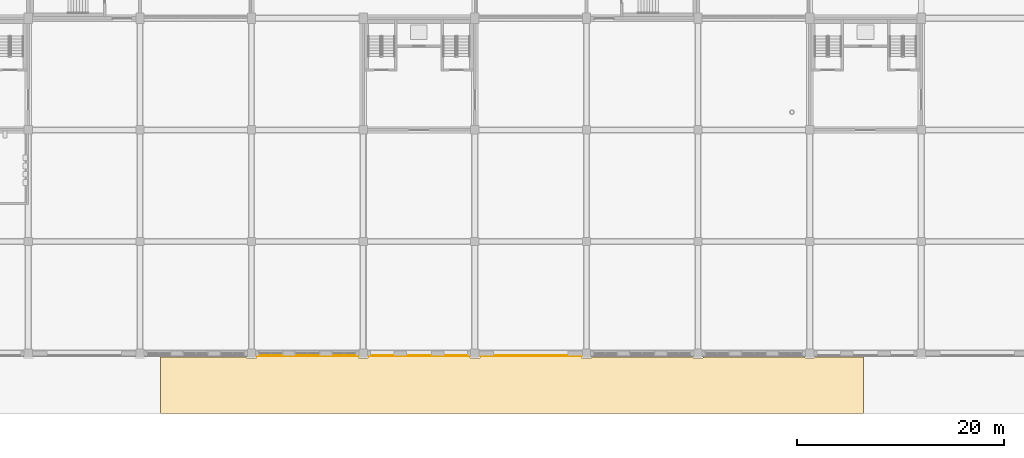
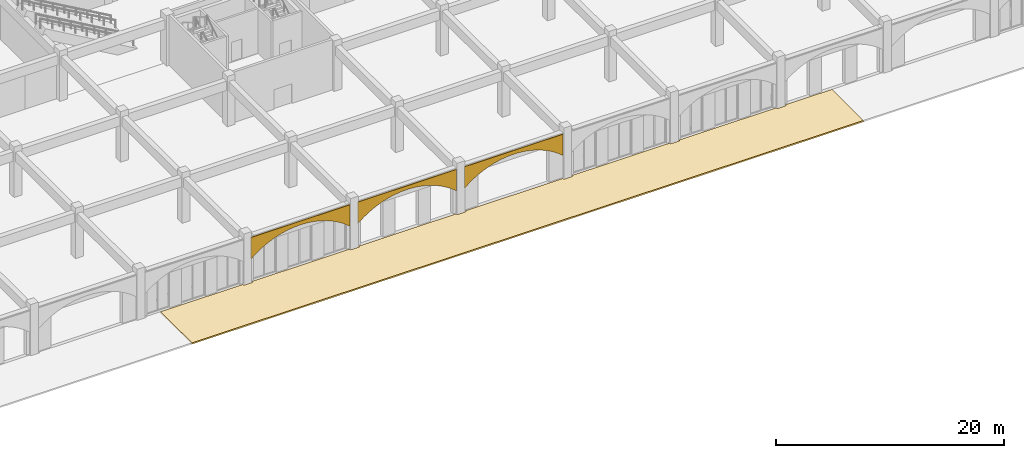
# One storey, part 81 of 101: 4 coverings.
"""IFC4 building model written with IfcOpenShell, lengths in metres."""

from ifc_helpers import new_model, si_unit, direction, frame, origin, place, context, subcontext, project, spatial, polyline, outline, extrude, material, layer, layer_set, type_object, element, save


model = new_model("IFC4")

# Units and contexts
model_context = context("Model", 3, precision=1e-05, world=origin(), true_north=direction((0.0, 1.0)))
body_context = subcontext(model_context, "Body", "Model", "MODEL_VIEW")
ifc_project = project(units=[si_unit("LENGTHUNIT", "METRE"), si_unit("AREAUNIT", "SQUARE_METRE"), si_unit("VOLUMEUNIT", "CUBIC_METRE"), si_unit("PLANEANGLEUNIT", "RADIAN"), si_unit("MASSUNIT", "GRAM", prefix="KILO")], contexts=[model_context])

# Site, building, storey
site_placement = place(None, origin())
site = spatial("IfcSite", under=ifc_project, at=site_placement, CompositionType="ELEMENT")
building_placement = place(site_placement, origin())
building = spatial("IfcBuilding", under=site, at=building_placement, Name="Magnolia Steps Interchange", CompositionType="ELEMENT")
storey_placement = place(building_placement, frame((0.0, 0.0, -5.39990234375)))
storey = spatial("IfcBuildingStorey", under=building, at=storey_placement, Name="B1", CompositionType="ELEMENT", Elevation=-5.39990234375)

# Coverings
ifc_material_1 = material(Name="Lime render")
ifc_layer_1 = layer(ifc_material_1, 0.080078125)
ifc_layer_set_1 = layer_set([ifc_layer_1], Name="Lime render arch infill")
covering_type_1 = type_object("IfcCoveringType", Name="Lime render arch infill", PredefinedType="CLADDING", material=ifc_layer_set_1)
for number, where, z_axis, x_axis, name in (
    (1, (75.199951171875, 9.77490234375, 2.39990234375), (0.0, 1.0, 0.0), (0.0, 0.0, 1.0), "Arch spandrel south edge 4"),
    (2, (86.0, 9.77490234375, 2.39990234375), (0.0, 1.0, 0.0), (0.0, 0.0, 1.0), "Arch spandrel south edge 5"),
    (3, (96.800048828125, 9.77490234375, 2.39990234375), (0.0, 1.0, 0.0), (0.0, 0.0, 1.0), "Arch spandrel south edge 6"),
):
    element("IfcCovering", number, at=place(storey_placement, frame(where, z_axis=z_axis, x_axis=x_axis)), inside=storey, type_object=covering_type_1, Name=name, PredefinedType="CLADDING", context=body_context, shape_type="SweptSolid", body=[
        extrude(outline(polyline([(0.0, 0.0), (2.300048828, 0.0), (2.300048828, 10.0), (0.0, 10.0), (0.498291016, 9.375), (0.899658203, 8.75), (1.220703125, 8.125), (1.472900391, 7.5), (1.662841797, 6.875), (1.795410156, 6.25), (1.874023438, 5.625), (1.899902344, 5.0), (1.874023438, 4.375), (1.795410156, 3.75), (1.662841797, 3.125), (1.472900391, 2.5), (1.220703125, 1.875), (0.899658203, 1.25), (0.498291016, 0.625), (0.0, 0.0)])), origin(), (0.0, 0.0, -1.0), 0.080078125),
    ])
ifc_material_2 = material(Name="Natural stone paving", Category="masonry")
ifc_layer_2 = layer(ifc_material_2, 0.14990234375)
ifc_layer_set_2 = layer_set([ifc_layer_2], Name="Stone paving 150")
covering_type_2 = type_object("IfcCoveringType", Name="Stone paving 150", PredefinedType="FLOORING", material=ifc_layer_set_2)
covering_placement = place(storey_placement, frame((0.0, 0.0, -0.150146484375)))
element("IfcCovering", 4, at=covering_placement, inside=storey, type_object=covering_type_2, Name="Street paving south centre", PredefinedType="FLOORING", context=body_context, shape_type="SweptSolid", body=[
    extrude(outline(polyline([(66.0, 4.14990234375), (66.0, 9.64990234375), (74.300048828125, 9.64990234375), (74.380615234375, 9.501953125), (75.199951171875, 9.5), (75.283203125, 9.54443359375), (75.300048828125, 9.64990234375), (85.10009765625, 9.64990234375), (85.180419921875, 9.501953125), (86.0, 9.5), (86.0830078125, 9.54443359375), (86.10009765625, 9.64990234375), (95.89990234375, 9.64990234375), (95.98046875, 9.501953125), (96.800048828125, 9.5), (96.883056640625, 9.54443359375), (96.89990234375, 9.64990234375), (106.699951171875, 9.64990234375), (106.780517578125, 9.501953125), (107.60009765625, 9.5), (107.68310546875, 9.54443359375), (107.699951171875, 9.64990234375), (117.5, 9.64990234375), (117.58056640625, 9.501953125), (118.39990234375, 9.5), (118.483154296875, 9.54443359375), (118.5, 9.64990234375), (128.300048828125, 9.64990234375), (128.380615234375, 9.501953125), (129.199951171875, 9.5), (129.283203125, 9.54443359375), (129.300048828125, 9.64990234375), (134.0, 9.64990234375), (134.0, 4.14990234375), (66.0, 4.14990234375)])), origin(), (0.0, 0.0, 1.0), 0.150146484375),
])

save(model, "model.ifc")
